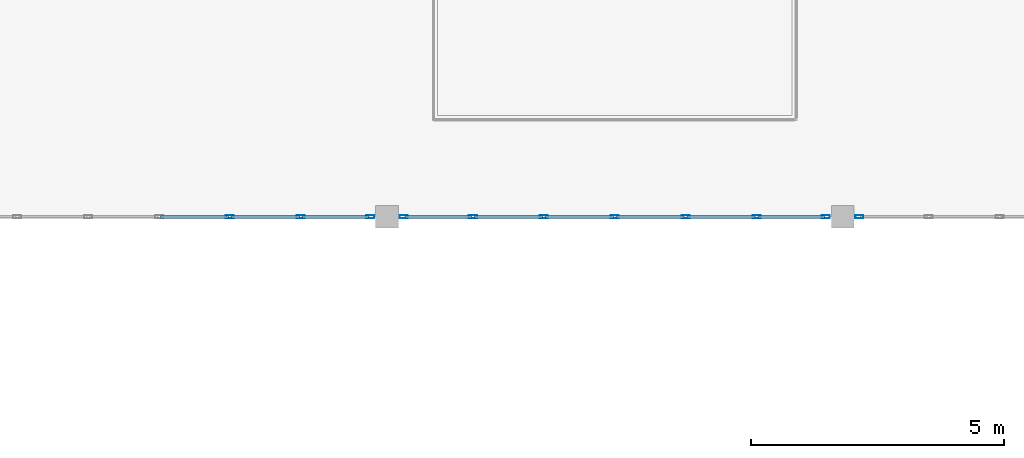
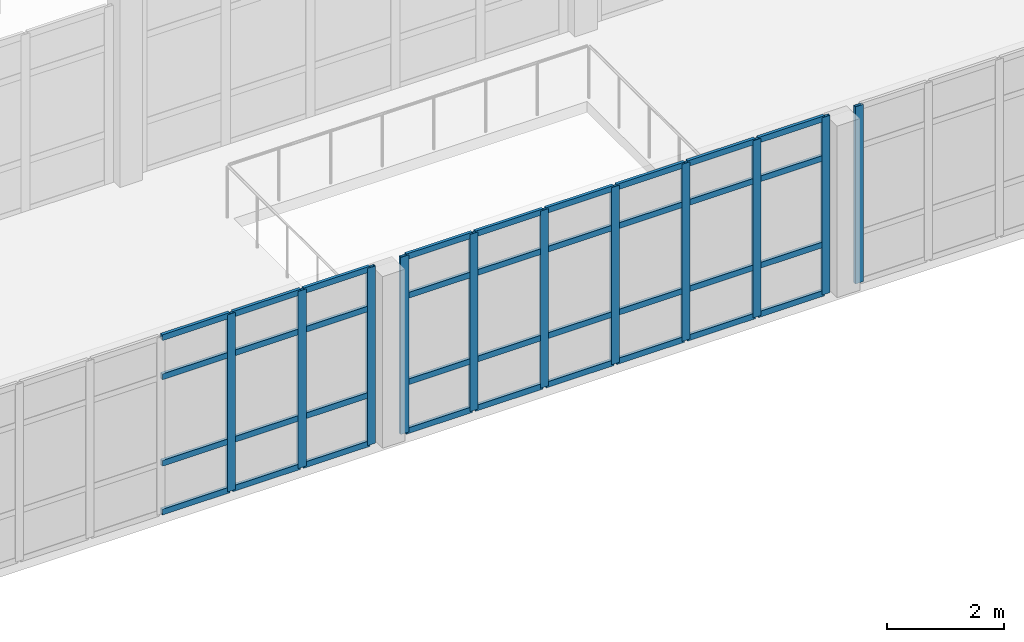
# One storey, part 10 of 156: 47 members, 3 elements without a shape of their own.
"""IFC4 building model written with IfcOpenShell, lengths in metres."""

from ifc_helpers import new_model, si_unit, direction, frame, origin, origin_2d, place, context, subcontext, project, spatial, hollow_rectangle, extrude, material, layer, layer_set, material_profile, profile_set, type_object, element, aggregate, save


model = new_model("IFC4")

# Units and contexts
model_context = context("Model", 3, precision=1e-05, world=origin(), true_north=direction((0.0, 1.0)))
body_context = subcontext(model_context, "Body", "Model", "MODEL_VIEW")
ifc_project = project(units=[si_unit("LENGTHUNIT", "METRE"), si_unit("AREAUNIT", "SQUARE_METRE"), si_unit("VOLUMEUNIT", "CUBIC_METRE"), si_unit("PLANEANGLEUNIT", "RADIAN"), si_unit("MASSUNIT", "GRAM", prefix="KILO")], contexts=[model_context])

# Site, building, storey
site_placement = place(None, origin())
site = spatial("IfcSite", under=ifc_project, at=site_placement, CompositionType="ELEMENT")
building_placement = place(site_placement, origin())
building = spatial("IfcBuilding", under=site, at=building_placement, Name="Ornek Quay Market", CompositionType="ELEMENT")
storey_placement = place(building_placement, frame((0.0, 0.0, 4.5)))
storey = spatial("IfcBuildingStorey", under=building, at=storey_placement, Name="L01", CompositionType="ELEMENT", Elevation=4.5)

# Curtain wall, members
ifc_material_1 = material(Name="Anodised bronze aluminium and triple low-e glass", Category="aluminium")
ifc_layer = layer(ifc_material_1, 0.179931640625, Name="Anodised bronze aluminium and triple low-e glass", Category="aluminium")
ifc_layer_set = layer_set([ifc_layer], Name="Anodised bronze aluminium and triple low-e glass")
curtain_wall_type = type_object("IfcCurtainWallType", Name="CW-CONC-MOD1500", PredefinedType="USERDEFINED", material=ifc_layer_set)
curtain_wall_1_placement = place(storey_placement, origin())
curtain_wall_1 = element("IfcCurtainWall", 1, at=curtain_wall_1_placement, inside=storey, type_object=curtain_wall_type, Name="Curtain wall CW-016", ObjectType="CURTAIN WALL", PredefinedType="USERDEFINED")
ifc_material_2 = material(Name="Anodised aluminium 6063-T6", Category="aluminium")
ifc_material_profile_1 = material_profile(ifc_material_2, hollow_rectangle(XDim=0.06005859375, YDim=0.159912109375, WallThickness=0.00390625, at=origin_2d()), Name="CW-MUL-60x160", Category="aluminium")
ifc_profile_set_1 = profile_set([ifc_material_profile_1], Name="Anodised aluminium 6063-T6")
member_type_1 = type_object("IfcMemberType", Name="CW-MUL-60x160", PredefinedType="MULLION", material=ifc_profile_set_1)
member_1_placement = place(storey_placement, frame((32.89990234375, 20.0, 0.0), z_axis=(0.0, 0.0, 1.0), x_axis=(0.0, 1.0, 0.0)))
member_1 = element("IfcMember", 2, at=member_1_placement, type_object=member_type_1, Name="CW-016 mullion 5", PredefinedType="MULLION", context=body_context, shape_type="SweptSolid", body=[
    extrude(hollow_rectangle(XDim=0.06005859375, YDim=0.159912109375, WallThickness=0.00390625, at=origin_2d()), origin(), (0.0, 0.0, 1.0), 3.7099609375),
])
member_2_placement = place(storey_placement, frame((34.300048828125, 20.0, 0.0), z_axis=(0.0, 0.0, 1.0), x_axis=(0.0, 1.0, 0.0)))
member_2 = element("IfcMember", 3, at=member_2_placement, type_object=member_type_1, Name="CW-016 mullion 6", PredefinedType="MULLION", context=body_context, shape_type="SweptSolid", body=[
    extrude(hollow_rectangle(XDim=0.06005859375, YDim=0.159912109375, WallThickness=0.00390625, at=origin_2d()), origin(), (0.0, 0.0, 1.0), 3.7099609375),
])
member_3_placement = place(storey_placement, frame((35.669921875, 20.0, 0.0), z_axis=(0.0, 0.0, 1.0), x_axis=(0.0, 1.0, 0.0)))
member_3 = element("IfcMember", 4, at=member_3_placement, type_object=member_type_1, Name="CW-016 mullion 7", PredefinedType="MULLION", context=body_context, shape_type="SweptSolid", body=[
    extrude(hollow_rectangle(XDim=0.06005859375, YDim=0.159912109375, WallThickness=0.00390625, at=origin_2d()), origin(), (0.0, 0.0, 1.0), 3.7099609375),
])

curtain_wall_2_placement = place(storey_placement, origin())
curtain_wall_2 = element("IfcCurtainWall", 5, at=curtain_wall_2_placement, inside=storey, type_object=curtain_wall_type, Name="Curtain wall CW-020", ObjectType="CURTAIN WALL", PredefinedType="USERDEFINED")
member_4_placement = place(storey_placement, frame((36.330078125, 20.0, 0.0), z_axis=(0.0, 0.0, 1.0), x_axis=(0.0, 1.0, 0.0)))
member_4 = element("IfcMember", 6, at=member_4_placement, type_object=member_type_1, Name="CW-020 mullion 1", PredefinedType="MULLION", context=body_context, shape_type="SweptSolid", body=[
    extrude(hollow_rectangle(XDim=0.06005859375, YDim=0.159912109375, WallThickness=0.00390625, at=origin_2d()), origin(), (0.0, 0.0, 1.0), 3.7099609375),
])
member_5_placement = place(storey_placement, frame((37.699951171875, 20.0, 0.0), z_axis=(0.0, 0.0, 1.0), x_axis=(0.0, 1.0, 0.0)))
member_5 = element("IfcMember", 7, at=member_5_placement, type_object=member_type_1, Name="CW-020 mullion 2", PredefinedType="MULLION", context=body_context, shape_type="SweptSolid", body=[
    extrude(hollow_rectangle(XDim=0.06005859375, YDim=0.159912109375, WallThickness=0.00390625, at=origin_2d()), origin(), (0.0, 0.0, 1.0), 3.7099609375),
])
member_6_placement = place(storey_placement, frame((39.10009765625, 20.0, 0.0), z_axis=(0.0, 0.0, 1.0), x_axis=(0.0, 1.0, 0.0)))
member_6 = element("IfcMember", 8, at=member_6_placement, type_object=member_type_1, Name="CW-020 mullion 3", PredefinedType="MULLION", context=body_context, shape_type="SweptSolid", body=[
    extrude(hollow_rectangle(XDim=0.06005859375, YDim=0.159912109375, WallThickness=0.00390625, at=origin_2d()), origin(), (0.0, 0.0, 1.0), 3.7099609375),
])
member_7_placement = place(storey_placement, frame((40.5, 20.0, 0.0), z_axis=(0.0, 0.0, 1.0), x_axis=(0.0, 1.0, 0.0)))
member_7 = element("IfcMember", 9, at=member_7_placement, type_object=member_type_1, Name="CW-020 mullion 4", PredefinedType="MULLION", context=body_context, shape_type="SweptSolid", body=[
    extrude(hollow_rectangle(XDim=0.06005859375, YDim=0.159912109375, WallThickness=0.00390625, at=origin_2d()), origin(), (0.0, 0.0, 1.0), 3.7099609375),
])
member_8_placement = place(storey_placement, frame((41.89990234375, 20.0, 0.0), z_axis=(0.0, 0.0, 1.0), x_axis=(0.0, 1.0, 0.0)))
member_8 = element("IfcMember", 10, at=member_8_placement, type_object=member_type_1, Name="CW-020 mullion 5", PredefinedType="MULLION", context=body_context, shape_type="SweptSolid", body=[
    extrude(hollow_rectangle(XDim=0.06005859375, YDim=0.159912109375, WallThickness=0.00390625, at=origin_2d()), origin(), (0.0, 0.0, 1.0), 3.7099609375),
])
member_9_placement = place(storey_placement, frame((43.300048828125, 20.0, 0.0), z_axis=(0.0, 0.0, 1.0), x_axis=(0.0, 1.0, 0.0)))
member_9 = element("IfcMember", 11, at=member_9_placement, type_object=member_type_1, Name="CW-020 mullion 6", PredefinedType="MULLION", context=body_context, shape_type="SweptSolid", body=[
    extrude(hollow_rectangle(XDim=0.06005859375, YDim=0.159912109375, WallThickness=0.00390625, at=origin_2d()), origin(), (0.0, 0.0, 1.0), 3.7099609375),
])
member_10_placement = place(storey_placement, frame((44.669921875, 20.0, 0.0), z_axis=(0.0, 0.0, 1.0), x_axis=(0.0, 1.0, 0.0)))
member_10 = element("IfcMember", 12, at=member_10_placement, type_object=member_type_1, Name="CW-020 mullion 7", PredefinedType="MULLION", context=body_context, shape_type="SweptSolid", body=[
    extrude(hollow_rectangle(XDim=0.06005859375, YDim=0.159912109375, WallThickness=0.00390625, at=origin_2d()), origin(), (0.0, 0.0, 1.0), 3.7099609375),
])

# Curtain wall, member
curtain_wall_3_placement = place(storey_placement, origin())
curtain_wall_3 = element("IfcCurtainWall", 13, at=curtain_wall_3_placement, inside=storey, type_object=curtain_wall_type, Name="Curtain wall CW-024", ObjectType="CURTAIN WALL", PredefinedType="USERDEFINED")
member_11_placement = place(storey_placement, frame((45.330078125, 20.0, 0.0), z_axis=(0.0, 0.0, 1.0), x_axis=(0.0, 1.0, 0.0)))
member_11 = element("IfcMember", 14, at=member_11_placement, type_object=member_type_1, Name="CW-024 mullion 1", PredefinedType="MULLION", context=body_context, shape_type="SweptSolid", body=[
    extrude(hollow_rectangle(XDim=0.06005859375, YDim=0.159912109375, WallThickness=0.00390625, at=origin_2d()), origin(), (0.0, 0.0, 1.0), 3.7099609375),
])
aggregate(curtain_wall_3, [member_11])

# Member
ifc_material_profile_2 = material_profile(ifc_material_2, hollow_rectangle(XDim=0.06005859375, YDim=0.1201171875, WallThickness=0.00390625, at=origin_2d()), Name="CW-TRN-60x120", Category="aluminium")
ifc_profile_set_2 = profile_set([ifc_material_profile_2], Name="Anodised aluminium 6063-T6")
member_type_2 = type_object("IfcMemberType", Name="CW-TRN-60x120", PredefinedType="USERDEFINED", material=ifc_profile_set_2)
member_12_placement = place(storey_placement, frame((31.530029296875, 20.0, 0.030029296875), z_axis=(1.0, 0.0, 0.0), x_axis=(0.0, 1.0, 0.0)))
member_12 = element("IfcMember", 15, at=member_12_placement, type_object=member_type_2, Name="CW-016 transom 4.1", ObjectType="TRANSOM", PredefinedType="USERDEFINED", context=body_context, shape_type="SweptSolid", body=[
    extrude(hollow_rectangle(XDim=0.06005859375, YDim=0.1201171875, WallThickness=0.00390625, at=origin_2d()), origin(), (0.0, 0.0, 1.0), 1.340087890625),
])

member_13_placement = place(storey_placement, frame((31.530029296875, 20.0, 1.050048828125), z_axis=(1.0, 0.0, 0.0), x_axis=(0.0, 1.0, 0.0)))
member_13 = element("IfcMember", 16, at=member_13_placement, type_object=member_type_2, Name="CW-016 transom 4.2", ObjectType="TRANSOM", PredefinedType="USERDEFINED", context=body_context, shape_type="SweptSolid", body=[
    extrude(hollow_rectangle(XDim=0.06005859375, YDim=0.1201171875, WallThickness=0.00390625, at=origin_2d()), origin(), (0.0, 0.0, 1.0), 1.340087890625),
])

member_14_placement = place(storey_placement, frame((31.530029296875, 20.0, 2.860107421875), z_axis=(1.0, 0.0, 0.0), x_axis=(0.0, 1.0, 0.0)))
member_14 = element("IfcMember", 17, at=member_14_placement, type_object=member_type_2, Name="CW-016 transom 4.3", ObjectType="TRANSOM", PredefinedType="USERDEFINED", context=body_context, shape_type="SweptSolid", body=[
    extrude(hollow_rectangle(XDim=0.06005859375, YDim=0.1201171875, WallThickness=0.00390625, at=origin_2d()), origin(), (0.0, 0.0, 1.0), 1.340087890625),
])

member_15_placement = place(storey_placement, frame((31.530029296875, 20.0, 3.679931640625), z_axis=(1.0, 0.0, 0.0), x_axis=(0.0, 1.0, 0.0)))
member_15 = element("IfcMember", 18, at=member_15_placement, type_object=member_type_2, Name="CW-016 transom 4.4", ObjectType="TRANSOM", PredefinedType="USERDEFINED", context=body_context, shape_type="SweptSolid", body=[
    extrude(hollow_rectangle(XDim=0.06005859375, YDim=0.1201171875, WallThickness=0.00390625, at=origin_2d()), origin(), (0.0, 0.0, 1.0), 1.340087890625),
])

member_16_placement = place(storey_placement, frame((32.929931640625, 20.0, 0.030029296875), z_axis=(1.0, 0.0, 0.0), x_axis=(0.0, 1.0, 0.0)))
member_16 = element("IfcMember", 19, at=member_16_placement, type_object=member_type_2, Name="CW-016 transom 5.1", ObjectType="TRANSOM", PredefinedType="USERDEFINED", context=body_context, shape_type="SweptSolid", body=[
    extrude(hollow_rectangle(XDim=0.06005859375, YDim=0.1201171875, WallThickness=0.00390625, at=origin_2d()), origin(), (0.0, 0.0, 1.0), 1.340087890625),
])

member_17_placement = place(storey_placement, frame((32.929931640625, 20.0, 1.050048828125), z_axis=(1.0, 0.0, 0.0), x_axis=(0.0, 1.0, 0.0)))
member_17 = element("IfcMember", 20, at=member_17_placement, type_object=member_type_2, Name="CW-016 transom 5.2", ObjectType="TRANSOM", PredefinedType="USERDEFINED", context=body_context, shape_type="SweptSolid", body=[
    extrude(hollow_rectangle(XDim=0.06005859375, YDim=0.1201171875, WallThickness=0.00390625, at=origin_2d()), origin(), (0.0, 0.0, 1.0), 1.340087890625),
])

member_18_placement = place(storey_placement, frame((32.929931640625, 20.0, 2.860107421875), z_axis=(1.0, 0.0, 0.0), x_axis=(0.0, 1.0, 0.0)))
member_18 = element("IfcMember", 21, at=member_18_placement, type_object=member_type_2, Name="CW-016 transom 5.3", ObjectType="TRANSOM", PredefinedType="USERDEFINED", context=body_context, shape_type="SweptSolid", body=[
    extrude(hollow_rectangle(XDim=0.06005859375, YDim=0.1201171875, WallThickness=0.00390625, at=origin_2d()), origin(), (0.0, 0.0, 1.0), 1.340087890625),
])

member_19_placement = place(storey_placement, frame((32.929931640625, 20.0, 3.679931640625), z_axis=(1.0, 0.0, 0.0), x_axis=(0.0, 1.0, 0.0)))
member_19 = element("IfcMember", 22, at=member_19_placement, type_object=member_type_2, Name="CW-016 transom 5.4", ObjectType="TRANSOM", PredefinedType="USERDEFINED", context=body_context, shape_type="SweptSolid", body=[
    extrude(hollow_rectangle(XDim=0.06005859375, YDim=0.1201171875, WallThickness=0.00390625, at=origin_2d()), origin(), (0.0, 0.0, 1.0), 1.340087890625),
])

member_20_placement = place(storey_placement, frame((34.330078125, 20.0, 0.030029296875), z_axis=(1.0, 0.0, 0.0), x_axis=(0.0, 1.0, 0.0)))
member_20 = element("IfcMember", 23, at=member_20_placement, type_object=member_type_2, Name="CW-016 transom 6.1", ObjectType="TRANSOM", PredefinedType="USERDEFINED", context=body_context, shape_type="SweptSolid", body=[
    extrude(hollow_rectangle(XDim=0.06005859375, YDim=0.1201171875, WallThickness=0.00390625, at=origin_2d()), origin(), (0.0, 0.0, 1.0), 1.309814453125),
])

member_21_placement = place(storey_placement, frame((34.330078125, 20.0, 1.050048828125), z_axis=(1.0, 0.0, 0.0), x_axis=(0.0, 1.0, 0.0)))
member_21 = element("IfcMember", 24, at=member_21_placement, type_object=member_type_2, Name="CW-016 transom 6.2", ObjectType="TRANSOM", PredefinedType="USERDEFINED", context=body_context, shape_type="SweptSolid", body=[
    extrude(hollow_rectangle(XDim=0.06005859375, YDim=0.1201171875, WallThickness=0.00390625, at=origin_2d()), origin(), (0.0, 0.0, 1.0), 1.309814453125),
])

member_22_placement = place(storey_placement, frame((34.330078125, 20.0, 2.860107421875), z_axis=(1.0, 0.0, 0.0), x_axis=(0.0, 1.0, 0.0)))
member_22 = element("IfcMember", 25, at=member_22_placement, type_object=member_type_2, Name="CW-016 transom 6.3", ObjectType="TRANSOM", PredefinedType="USERDEFINED", context=body_context, shape_type="SweptSolid", body=[
    extrude(hollow_rectangle(XDim=0.06005859375, YDim=0.1201171875, WallThickness=0.00390625, at=origin_2d()), origin(), (0.0, 0.0, 1.0), 1.309814453125),
])

member_23_placement = place(storey_placement, frame((34.330078125, 20.0, 3.679931640625), z_axis=(1.0, 0.0, 0.0), x_axis=(0.0, 1.0, 0.0)))
member_23 = element("IfcMember", 26, at=member_23_placement, type_object=member_type_2, Name="CW-016 transom 6.4", ObjectType="TRANSOM", PredefinedType="USERDEFINED", context=body_context, shape_type="SweptSolid", body=[
    extrude(hollow_rectangle(XDim=0.06005859375, YDim=0.1201171875, WallThickness=0.00390625, at=origin_2d()), origin(), (0.0, 0.0, 1.0), 1.309814453125),
])

aggregate(curtain_wall_1, [member_1, member_2, member_3, member_12, member_13, member_14, member_15, member_16, member_17, member_18, member_19, member_20, member_21, member_22, member_23])

member_24_placement = place(storey_placement, frame((36.360107421875, 20.0, 0.030029296875), z_axis=(1.0, 0.0, 0.0), x_axis=(0.0, 1.0, 0.0)))
member_24 = element("IfcMember", 27, at=member_24_placement, type_object=member_type_2, Name="CW-020 transom 1.1", ObjectType="TRANSOM", PredefinedType="USERDEFINED", context=body_context, shape_type="SweptSolid", body=[
    extrude(hollow_rectangle(XDim=0.06005859375, YDim=0.1201171875, WallThickness=0.00390625, at=origin_2d()), origin(), (0.0, 0.0, 1.0), 1.309814453125),
])

member_25_placement = place(storey_placement, frame((36.360107421875, 20.0, 1.050048828125), z_axis=(1.0, 0.0, 0.0), x_axis=(0.0, 1.0, 0.0)))
member_25 = element("IfcMember", 28, at=member_25_placement, type_object=member_type_2, Name="CW-020 transom 1.2", ObjectType="TRANSOM", PredefinedType="USERDEFINED", context=body_context, shape_type="SweptSolid", body=[
    extrude(hollow_rectangle(XDim=0.06005859375, YDim=0.1201171875, WallThickness=0.00390625, at=origin_2d()), origin(), (0.0, 0.0, 1.0), 1.309814453125),
])

member_26_placement = place(storey_placement, frame((36.360107421875, 20.0, 2.860107421875), z_axis=(1.0, 0.0, 0.0), x_axis=(0.0, 1.0, 0.0)))
member_26 = element("IfcMember", 29, at=member_26_placement, type_object=member_type_2, Name="CW-020 transom 1.3", ObjectType="TRANSOM", PredefinedType="USERDEFINED", context=body_context, shape_type="SweptSolid", body=[
    extrude(hollow_rectangle(XDim=0.06005859375, YDim=0.1201171875, WallThickness=0.00390625, at=origin_2d()), origin(), (0.0, 0.0, 1.0), 1.309814453125),
])

member_27_placement = place(storey_placement, frame((36.360107421875, 20.0, 3.679931640625), z_axis=(1.0, 0.0, 0.0), x_axis=(0.0, 1.0, 0.0)))
member_27 = element("IfcMember", 30, at=member_27_placement, type_object=member_type_2, Name="CW-020 transom 1.4", ObjectType="TRANSOM", PredefinedType="USERDEFINED", context=body_context, shape_type="SweptSolid", body=[
    extrude(hollow_rectangle(XDim=0.06005859375, YDim=0.1201171875, WallThickness=0.00390625, at=origin_2d()), origin(), (0.0, 0.0, 1.0), 1.309814453125),
])

member_28_placement = place(storey_placement, frame((37.72998046875, 20.0, 0.030029296875), z_axis=(1.0, 0.0, 0.0), x_axis=(0.0, 1.0, 0.0)))
member_28 = element("IfcMember", 31, at=member_28_placement, type_object=member_type_2, Name="CW-020 transom 2.1", ObjectType="TRANSOM", PredefinedType="USERDEFINED", context=body_context, shape_type="SweptSolid", body=[
    extrude(hollow_rectangle(XDim=0.06005859375, YDim=0.1201171875, WallThickness=0.00390625, at=origin_2d()), origin(), (0.0, 0.0, 1.0), 1.340087890625),
])

member_29_placement = place(storey_placement, frame((37.72998046875, 20.0, 1.050048828125), z_axis=(1.0, 0.0, 0.0), x_axis=(0.0, 1.0, 0.0)))
member_29 = element("IfcMember", 32, at=member_29_placement, type_object=member_type_2, Name="CW-020 transom 2.2", ObjectType="TRANSOM", PredefinedType="USERDEFINED", context=body_context, shape_type="SweptSolid", body=[
    extrude(hollow_rectangle(XDim=0.06005859375, YDim=0.1201171875, WallThickness=0.00390625, at=origin_2d()), origin(), (0.0, 0.0, 1.0), 1.340087890625),
])

member_30_placement = place(storey_placement, frame((37.72998046875, 20.0, 2.860107421875), z_axis=(1.0, 0.0, 0.0), x_axis=(0.0, 1.0, 0.0)))
member_30 = element("IfcMember", 33, at=member_30_placement, type_object=member_type_2, Name="CW-020 transom 2.3", ObjectType="TRANSOM", PredefinedType="USERDEFINED", context=body_context, shape_type="SweptSolid", body=[
    extrude(hollow_rectangle(XDim=0.06005859375, YDim=0.1201171875, WallThickness=0.00390625, at=origin_2d()), origin(), (0.0, 0.0, 1.0), 1.340087890625),
])

member_31_placement = place(storey_placement, frame((37.72998046875, 20.0, 3.679931640625), z_axis=(1.0, 0.0, 0.0), x_axis=(0.0, 1.0, 0.0)))
member_31 = element("IfcMember", 34, at=member_31_placement, type_object=member_type_2, Name="CW-020 transom 2.4", ObjectType="TRANSOM", PredefinedType="USERDEFINED", context=body_context, shape_type="SweptSolid", body=[
    extrude(hollow_rectangle(XDim=0.06005859375, YDim=0.1201171875, WallThickness=0.00390625, at=origin_2d()), origin(), (0.0, 0.0, 1.0), 1.340087890625),
])

member_32_placement = place(storey_placement, frame((39.1298828125, 20.0, 0.030029296875), z_axis=(1.0, 0.0, 0.0), x_axis=(0.0, 1.0, 0.0)))
member_32 = element("IfcMember", 35, at=member_32_placement, type_object=member_type_2, Name="CW-020 transom 3.1", ObjectType="TRANSOM", PredefinedType="USERDEFINED", context=body_context, shape_type="SweptSolid", body=[
    extrude(hollow_rectangle(XDim=0.06005859375, YDim=0.1201171875, WallThickness=0.00390625, at=origin_2d()), origin(), (0.0, 0.0, 1.0), 1.340087890625),
])

member_33_placement = place(storey_placement, frame((39.1298828125, 20.0, 1.050048828125), z_axis=(1.0, 0.0, 0.0), x_axis=(0.0, 1.0, 0.0)))
member_33 = element("IfcMember", 36, at=member_33_placement, type_object=member_type_2, Name="CW-020 transom 3.2", ObjectType="TRANSOM", PredefinedType="USERDEFINED", context=body_context, shape_type="SweptSolid", body=[
    extrude(hollow_rectangle(XDim=0.06005859375, YDim=0.1201171875, WallThickness=0.00390625, at=origin_2d()), origin(), (0.0, 0.0, 1.0), 1.340087890625),
])

member_34_placement = place(storey_placement, frame((39.1298828125, 20.0, 2.860107421875), z_axis=(1.0, 0.0, 0.0), x_axis=(0.0, 1.0, 0.0)))
member_34 = element("IfcMember", 37, at=member_34_placement, type_object=member_type_2, Name="CW-020 transom 3.3", ObjectType="TRANSOM", PredefinedType="USERDEFINED", context=body_context, shape_type="SweptSolid", body=[
    extrude(hollow_rectangle(XDim=0.06005859375, YDim=0.1201171875, WallThickness=0.00390625, at=origin_2d()), origin(), (0.0, 0.0, 1.0), 1.340087890625),
])

member_35_placement = place(storey_placement, frame((39.1298828125, 20.0, 3.679931640625), z_axis=(1.0, 0.0, 0.0), x_axis=(0.0, 1.0, 0.0)))
member_35 = element("IfcMember", 38, at=member_35_placement, type_object=member_type_2, Name="CW-020 transom 3.4", ObjectType="TRANSOM", PredefinedType="USERDEFINED", context=body_context, shape_type="SweptSolid", body=[
    extrude(hollow_rectangle(XDim=0.06005859375, YDim=0.1201171875, WallThickness=0.00390625, at=origin_2d()), origin(), (0.0, 0.0, 1.0), 1.340087890625),
])

member_36_placement = place(storey_placement, frame((40.530029296875, 20.0, 0.030029296875), z_axis=(1.0, 0.0, 0.0), x_axis=(0.0, 1.0, 0.0)))
member_36 = element("IfcMember", 39, at=member_36_placement, type_object=member_type_2, Name="CW-020 transom 4.1", ObjectType="TRANSOM", PredefinedType="USERDEFINED", context=body_context, shape_type="SweptSolid", body=[
    extrude(hollow_rectangle(XDim=0.06005859375, YDim=0.1201171875, WallThickness=0.00390625, at=origin_2d()), origin(), (0.0, 0.0, 1.0), 1.340087890625),
])

member_37_placement = place(storey_placement, frame((40.530029296875, 20.0, 1.050048828125), z_axis=(1.0, 0.0, 0.0), x_axis=(0.0, 1.0, 0.0)))
member_37 = element("IfcMember", 40, at=member_37_placement, type_object=member_type_2, Name="CW-020 transom 4.2", ObjectType="TRANSOM", PredefinedType="USERDEFINED", context=body_context, shape_type="SweptSolid", body=[
    extrude(hollow_rectangle(XDim=0.06005859375, YDim=0.1201171875, WallThickness=0.00390625, at=origin_2d()), origin(), (0.0, 0.0, 1.0), 1.340087890625),
])

member_38_placement = place(storey_placement, frame((40.530029296875, 20.0, 2.860107421875), z_axis=(1.0, 0.0, 0.0), x_axis=(0.0, 1.0, 0.0)))
member_38 = element("IfcMember", 41, at=member_38_placement, type_object=member_type_2, Name="CW-020 transom 4.3", ObjectType="TRANSOM", PredefinedType="USERDEFINED", context=body_context, shape_type="SweptSolid", body=[
    extrude(hollow_rectangle(XDim=0.06005859375, YDim=0.1201171875, WallThickness=0.00390625, at=origin_2d()), origin(), (0.0, 0.0, 1.0), 1.340087890625),
])

member_39_placement = place(storey_placement, frame((40.530029296875, 20.0, 3.679931640625), z_axis=(1.0, 0.0, 0.0), x_axis=(0.0, 1.0, 0.0)))
member_39 = element("IfcMember", 42, at=member_39_placement, type_object=member_type_2, Name="CW-020 transom 4.4", ObjectType="TRANSOM", PredefinedType="USERDEFINED", context=body_context, shape_type="SweptSolid", body=[
    extrude(hollow_rectangle(XDim=0.06005859375, YDim=0.1201171875, WallThickness=0.00390625, at=origin_2d()), origin(), (0.0, 0.0, 1.0), 1.340087890625),
])

member_40_placement = place(storey_placement, frame((41.929931640625, 20.0, 0.030029296875), z_axis=(1.0, 0.0, 0.0), x_axis=(0.0, 1.0, 0.0)))
member_40 = element("IfcMember", 43, at=member_40_placement, type_object=member_type_2, Name="CW-020 transom 5.1", ObjectType="TRANSOM", PredefinedType="USERDEFINED", context=body_context, shape_type="SweptSolid", body=[
    extrude(hollow_rectangle(XDim=0.06005859375, YDim=0.1201171875, WallThickness=0.00390625, at=origin_2d()), origin(), (0.0, 0.0, 1.0), 1.340087890625),
])

member_41_placement = place(storey_placement, frame((41.929931640625, 20.0, 1.050048828125), z_axis=(1.0, 0.0, 0.0), x_axis=(0.0, 1.0, 0.0)))
member_41 = element("IfcMember", 44, at=member_41_placement, type_object=member_type_2, Name="CW-020 transom 5.2", ObjectType="TRANSOM", PredefinedType="USERDEFINED", context=body_context, shape_type="SweptSolid", body=[
    extrude(hollow_rectangle(XDim=0.06005859375, YDim=0.1201171875, WallThickness=0.00390625, at=origin_2d()), origin(), (0.0, 0.0, 1.0), 1.340087890625),
])

member_42_placement = place(storey_placement, frame((41.929931640625, 20.0, 2.860107421875), z_axis=(1.0, 0.0, 0.0), x_axis=(0.0, 1.0, 0.0)))
member_42 = element("IfcMember", 45, at=member_42_placement, type_object=member_type_2, Name="CW-020 transom 5.3", ObjectType="TRANSOM", PredefinedType="USERDEFINED", context=body_context, shape_type="SweptSolid", body=[
    extrude(hollow_rectangle(XDim=0.06005859375, YDim=0.1201171875, WallThickness=0.00390625, at=origin_2d()), origin(), (0.0, 0.0, 1.0), 1.340087890625),
])

member_43_placement = place(storey_placement, frame((41.929931640625, 20.0, 3.679931640625), z_axis=(1.0, 0.0, 0.0), x_axis=(0.0, 1.0, 0.0)))
member_43 = element("IfcMember", 46, at=member_43_placement, type_object=member_type_2, Name="CW-020 transom 5.4", ObjectType="TRANSOM", PredefinedType="USERDEFINED", context=body_context, shape_type="SweptSolid", body=[
    extrude(hollow_rectangle(XDim=0.06005859375, YDim=0.1201171875, WallThickness=0.00390625, at=origin_2d()), origin(), (0.0, 0.0, 1.0), 1.340087890625),
])

member_44_placement = place(storey_placement, frame((43.330078125, 20.0, 0.030029296875), z_axis=(1.0, 0.0, 0.0), x_axis=(0.0, 1.0, 0.0)))
member_44 = element("IfcMember", 47, at=member_44_placement, type_object=member_type_2, Name="CW-020 transom 6.1", ObjectType="TRANSOM", PredefinedType="USERDEFINED", context=body_context, shape_type="SweptSolid", body=[
    extrude(hollow_rectangle(XDim=0.06005859375, YDim=0.1201171875, WallThickness=0.00390625, at=origin_2d()), origin(), (0.0, 0.0, 1.0), 1.309814453125),
])

member_45_placement = place(storey_placement, frame((43.330078125, 20.0, 1.050048828125), z_axis=(1.0, 0.0, 0.0), x_axis=(0.0, 1.0, 0.0)))
member_45 = element("IfcMember", 48, at=member_45_placement, type_object=member_type_2, Name="CW-020 transom 6.2", ObjectType="TRANSOM", PredefinedType="USERDEFINED", context=body_context, shape_type="SweptSolid", body=[
    extrude(hollow_rectangle(XDim=0.06005859375, YDim=0.1201171875, WallThickness=0.00390625, at=origin_2d()), origin(), (0.0, 0.0, 1.0), 1.309814453125),
])

member_46_placement = place(storey_placement, frame((43.330078125, 20.0, 2.860107421875), z_axis=(1.0, 0.0, 0.0), x_axis=(0.0, 1.0, 0.0)))
member_46 = element("IfcMember", 49, at=member_46_placement, type_object=member_type_2, Name="CW-020 transom 6.3", ObjectType="TRANSOM", PredefinedType="USERDEFINED", context=body_context, shape_type="SweptSolid", body=[
    extrude(hollow_rectangle(XDim=0.06005859375, YDim=0.1201171875, WallThickness=0.00390625, at=origin_2d()), origin(), (0.0, 0.0, 1.0), 1.309814453125),
])

member_47_placement = place(storey_placement, frame((43.330078125, 20.0, 3.679931640625), z_axis=(1.0, 0.0, 0.0), x_axis=(0.0, 1.0, 0.0)))
member_47 = element("IfcMember", 50, at=member_47_placement, type_object=member_type_2, Name="CW-020 transom 6.4", ObjectType="TRANSOM", PredefinedType="USERDEFINED", context=body_context, shape_type="SweptSolid", body=[
    extrude(hollow_rectangle(XDim=0.06005859375, YDim=0.1201171875, WallThickness=0.00390625, at=origin_2d()), origin(), (0.0, 0.0, 1.0), 1.309814453125),
])

aggregate(curtain_wall_2, [member_4, member_5, member_6, member_7, member_8, member_9, member_10, member_24, member_25, member_26, member_27, member_28, member_29, member_30, member_31, member_32, member_33, member_34, member_35, member_36, member_37, member_38, member_39, member_40, member_41, member_42, member_43, member_44, member_45, member_46, member_47])

save(model, "model.ifc")
